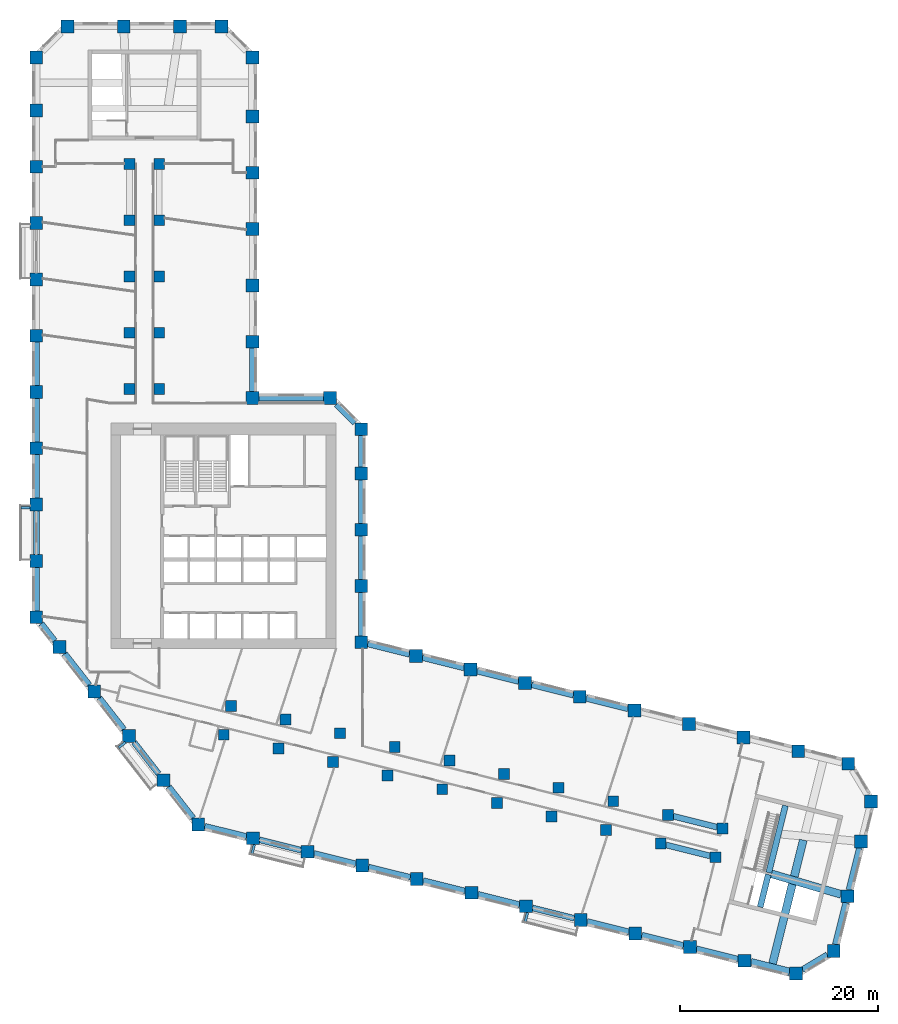
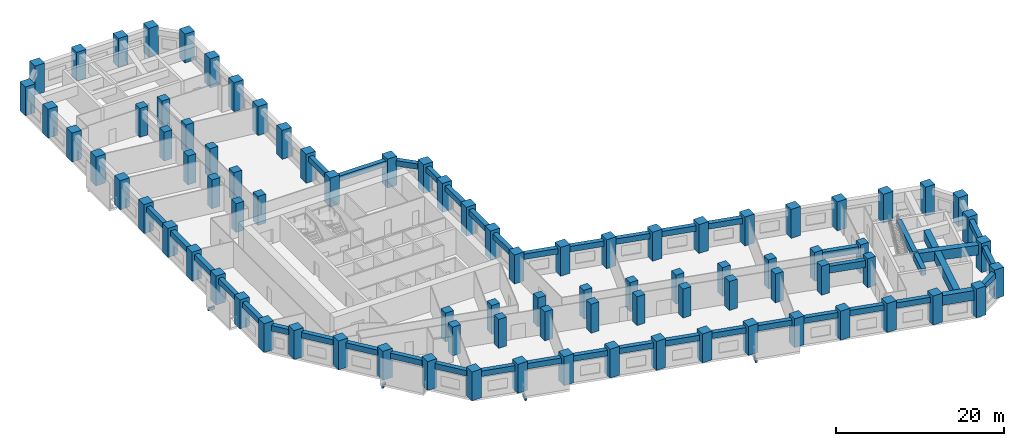
# One storey, part 1 of 11: 87 columns, 47 beams.
"""IFC4 building model written with IfcOpenShell, lengths in metres."""

from ifc_helpers import new_model, si_unit, direction, frame, origin, origin_2d, place, context, subcontext, project, spatial, rectangle, extrude, material, material_profile, profile_set, type_object, element, save


model = new_model("IFC4")

# Units and contexts
model_context = context("Model", 3, precision=1e-05, world=origin(), true_north=direction((0.0, 1.0)))
body_context = subcontext(model_context, "Body", "Model", "MODEL_VIEW")
ifc_project = project(units=[si_unit("LENGTHUNIT", "METRE"), si_unit("AREAUNIT", "SQUARE_METRE"), si_unit("VOLUMEUNIT", "CUBIC_METRE"), si_unit("PLANEANGLEUNIT", "RADIAN"), si_unit("MASSUNIT", "GRAM", prefix="KILO")], contexts=[model_context])

# Site, building, storey
site_placement = place(None, origin())
site = spatial("IfcSite", under=ifc_project, at=site_placement, CompositionType="ELEMENT")
building_placement = place(site_placement, origin())
building = spatial("IfcBuilding", under=site, at=building_placement, Name="Meshkara Civic Tower", CompositionType="ELEMENT")
storey_placement = place(building_placement, frame((0.0, 0.0, 151.800048828125)))
storey = spatial("IfcBuildingStorey", under=building, at=storey_placement, Name="L34", CompositionType="ELEMENT", Elevation=151.800048828125)

# Columns
ifc_material_1 = material(Name="Concrete C70", Category="concrete")
ifc_material_profile_1 = material_profile(ifc_material_1, rectangle(XDim=1.10009765625, YDim=1.10009765625, at=origin_2d()))
ifc_profile_set_1 = profile_set([ifc_material_profile_1], Name="Concrete C70")
column_type_1 = type_object("IfcColumnType", Name="Interior column RC 1100x1100 C70", PredefinedType="COLUMN", material=ifc_profile_set_1)
for number, where, z_axis, x_axis, name in (
    (1, (9.89990234375, 40.35009765625, 0.0), (0.0, 0.0, 1.0), (1.0, 0.0, 0.0), "Column SA1-04 L34"),
    (2, (9.89990234375, 46.050048828125, 0.0), (0.0, 0.0, 1.0), (1.0, 0.0, 0.0), "Column SA1-05 L34"),
    (3, (9.89990234375, 51.75, 0.0), (0.0, 0.0, 1.0), (1.0, 0.0, 0.0), "Column SA1-06 L34"),
    (4, (9.89990234375, 57.449951171875, 0.0), (0.0, 0.0, 1.0), (1.0, 0.0, 0.0), "Column SA1-07 L34"),
    (5, (9.89990234375, 63.14990234375, 0.0), (0.0, 0.0, 1.0), (1.0, 0.0, 0.0), "Column SA1-08 L34"),
    (6, (12.89990234375, 40.35009765625, 0.0), (0.0, 0.0, 1.0), (1.0, 0.0, 0.0), "Column SA2-04 L34"),
    (7, (12.89990234375, 46.050048828125, 0.0), (0.0, 0.0, 1.0), (1.0, 0.0, 0.0), "Column SA2-05 L34"),
    (8, (12.89990234375, 51.75, 0.0), (0.0, 0.0, 1.0), (1.0, 0.0, 0.0), "Column SA2-06 L34"),
    (9, (12.89990234375, 57.449951171875, 0.0), (0.0, 0.0, 1.0), (1.0, 0.0, 0.0), "Column SA2-07 L34"),
    (10, (12.89990234375, 63.14990234375, 0.0), (0.0, 0.0, 1.0), (1.0, 0.0, 0.0), "Column SA2-08 L34"),
    (11, (19.424072265625, 5.360107421875, 0.0), (0.0, 0.0, 1.0), (1.0, 0.0, 0.0), "Column SB1-00 L34"),
    (12, (24.9541015625, 3.98095703125, 0.0), (0.0, 0.0, 1.0), (1.0, 0.0, 0.0), "Column SB1-01 L34"),
    (13, (30.485107421875, 2.60205078125, 0.0), (0.0, 0.0, 1.0), (1.0, 0.0, 0.0), "Column SB1-02 L34"),
    (14, (36.01611328125, 1.222900390625, 0.0), (0.0, 0.0, 1.0), (1.0, 0.0, 0.0), "Column SB1-03 L34"),
    (15, (41.5458984375, -0.156005859375, 0.0), (0.0, 0.0, 1.0), (1.0, 0.0, 0.0), "Column SB1-04 L34"),
    (16, (47.076904296875, -1.534912109375, 0.0), (0.0, 0.0, 1.0), (1.0, 0.0, 0.0), "Column SB1-05 L34"),
    (17, (52.60791015625, -2.9140625, 0.0), (0.0, 0.0, 1.0), (1.0, 0.0, 0.0), "Column SB1-06 L34"),
    (18, (58.138916015625, -4.2919921875, 0.0), (0.0, 0.0, 1.0), (1.0, 0.0, 0.0), "Column SB1-07 L34"),
    (19, (63.6689453125, -5.6708984375, 0.0), (0.0, 0.0, 1.0), (1.0, 0.0, 0.0), "Column SB1-08 L34"),
    (20, (69.199951171875, -7.050048828125, 0.0), (0.0, 0.0, 1.0), (1.0, 0.0, 0.0), "Column SB1-09 L34"),
    (21, (20.14892578125, 8.27099609375, 0.0), (0.0, 0.0, 1.0), (1.0, 0.0, 0.0), "Column SB2-00 L34"),
    (22, (25.679931640625, 6.89208984375, 0.0), (0.0, 0.0, 1.0), (1.0, 0.0, 0.0), "Column SB2-01 L34"),
    (23, (31.2109375, 5.512939453125, 0.0), (0.0, 0.0, 1.0), (1.0, 0.0, 0.0), "Column SB2-02 L34"),
    (24, (36.741943359375, 4.134033203125, 0.0), (0.0, 0.0, 1.0), (1.0, 0.0, 0.0), "Column SB2-03 L34"),
    (25, (42.27197265625, 2.7548828125, 0.0), (0.0, 0.0, 1.0), (1.0, 0.0, 0.0), "Column SB2-04 L34"),
    (26, (47.802978515625, 1.3759765625, 0.0), (0.0, 0.0, 1.0), (1.0, 0.0, 0.0), "Column SB2-05 L34"),
    (27, (53.333984375, -0.0029296875, 0.0), (0.0, 0.0, 1.0), (1.0, 0.0, 0.0), "Column SB2-06 L34"),
    (28, (58.864013671875, -1.382080078125, 0.0), (0.0, 0.0, 1.0), (1.0, 0.0, 0.0), "Column SB2-07 L34"),
    (29, (64.39501953125, -2.760986328125, 0.0), (0.0, 0.0, 1.0), (1.0, 0.0, 0.0), "Column SB2-08 L34"),
    (30, (69.926025390625, -4.139892578125, 0.0), (0.0, 0.0, 1.0), (1.0, 0.0, 0.0), "Column SB2-09 L34"),
):
    element("IfcColumn", number, at=place(storey_placement, frame(where, z_axis=z_axis, x_axis=x_axis)), inside=storey, type_object=column_type_1, Name=name, PredefinedType="COLUMN", context=body_context, shape_type="SweptSolid", body=[
        extrude(rectangle(XDim=1.10009765625, YDim=1.10009765625, at=origin_2d()), origin(), (0.0, 0.0, 1.0), 4.199951171875),
    ])
ifc_material_2 = material(Name="Concrete C70", Category="concrete")
ifc_material_profile_2 = material_profile(ifc_material_2, rectangle(XDim=1.300048828125, YDim=1.300048828125, at=origin_2d()))
ifc_profile_set_2 = profile_set([ifc_material_profile_2], Name="Concrete C70")
column_type_2 = type_object("IfcColumnType", Name="Perimeter column RC 1300x1300 C70", PredefinedType="COLUMN", material=ifc_profile_set_2)
for number, where, z_axis, x_axis, name in (
    (31, (33.35009765625, 14.718994140625, 0.0), (0.0, 0.0, 1.0), (1.0, 0.0, 0.0), "Column HE00 L34"),
    (32, (33.35009765625, 20.4189453125, 0.0), (0.0, 0.0, 1.0), (1.0, 0.0, 0.0), "Column HE01 L34"),
    (33, (33.35009765625, 26.118896484375, 0.0), (0.0, 0.0, 1.0), (1.0, 0.0, 0.0), "Column HE02 L34"),
    (34, (33.35009765625, 31.819091796875, 0.0), (0.0, 0.0, 1.0), (1.0, 0.0, 0.0), "Column HE03 L34"),
    (35, (33.35009765625, 36.2939453125, 0.0), (0.0, 0.0, 1.0), (1.0, 0.0, 0.0), "Column HEE L34"),
    (36, (30.194091796875, 39.449951171875, 0.0), (0.0, 0.0, 1.0), (1.0, 0.0, 0.0), "Column HCeE L34"),
    (37, (22.35009765625, 39.449951171875, 0.0), (0.0, 0.0, 1.0), (1.0, 0.0, 0.0), "Column HN00 L34"),
    (38, (22.35009765625, 45.14990234375, 0.0), (0.0, 0.0, 1.0), (1.0, 0.0, 0.0), "Column AE01 L34"),
    (39, (22.35009765625, 50.85009765625, 0.0), (0.0, 0.0, 1.0), (1.0, 0.0, 0.0), "Column AE02 L34"),
    (40, (22.35009765625, 56.550048828125, 0.0), (0.0, 0.0, 1.0), (1.0, 0.0, 0.0), "Column AE03 L34"),
    (41, (22.35009765625, 62.25, 0.0), (0.0, 0.0, 1.0), (1.0, 0.0, 0.0), "Column AE04 L34"),
    (42, (22.35009765625, 67.949951171875, 0.0), (0.0, 0.0, 1.0), (1.0, 0.0, 0.0), "Column AE05 L34"),
    (43, (22.35009765625, 73.9140625, 0.0), (0.0, 0.0, 1.0), (1.0, 0.0, 0.0), "Column AEEP1 L34"),
    (44, (19.194091796875, 77.070068359375, 0.0), (0.0, 0.0, 1.0), (1.0, 0.0, 0.0), "Column ATiEP1 L34"),
    (45, (3.60595703125, 77.070068359375, 0.0), (0.0, 0.0, 1.0), (1.0, 0.0, 0.0), "Column AT00-P1 L34"),
    (46, (9.305908203125, 77.070068359375, 0.0), (0.0, 0.0, 1.0), (1.0, 0.0, 0.0), "Column AT01-P1 L34"),
    (47, (15.006103515625, 77.070068359375, 0.0), (0.0, 0.0, 1.0), (1.0, 0.0, 0.0), "Column AT02-P1 L34"),
    (48, (0.449951171875, 73.9140625, 0.0), (0.0, 0.0, 1.0), (1.0, 0.0, 0.0), "Column ATo00-P1 L34"),
    (49, (0.449951171875, 17.2548828125, 0.0), (0.0, 0.0, 1.0), (1.0, 0.0, 0.0), "Column AW00 L34"),
    (50, (0.449951171875, 22.955078125, 0.0), (0.0, 0.0, 1.0), (1.0, 0.0, 0.0), "Column AW01 L34"),
    (51, (0.449951171875, 28.655029296875, 0.0), (0.0, 0.0, 1.0), (1.0, 0.0, 0.0), "Column AW02 L34"),
    (52, (0.449951171875, 34.35498046875, 0.0), (0.0, 0.0, 1.0), (1.0, 0.0, 0.0), "Column AW03 L34"),
    (53, (0.449951171875, 40.054931640625, 0.0), (0.0, 0.0, 1.0), (1.0, 0.0, 0.0), "Column AW04 L34"),
    (54, (0.449951171875, 45.7548828125, 0.0), (0.0, 0.0, 1.0), (1.0, 0.0, 0.0), "Column AW05 L34"),
    (55, (0.449951171875, 51.455078125, 0.0), (0.0, 0.0, 1.0), (1.0, 0.0, 0.0), "Column AW06 L34"),
    (56, (0.449951171875, 57.155029296875, 0.0), (0.0, 0.0, 1.0), (1.0, 0.0, 0.0), "Column AW07 L34"),
    (57, (0.449951171875, 62.85498046875, 0.0), (0.0, 0.0, 1.0), (1.0, 0.0, 0.0), "Column AW08 L34"),
    (58, (0.449951171875, 68.554931640625, 0.0), (0.0, 0.0, 1.0), (1.0, 0.0, 0.0), "Column AW09 L34"),
    (59, (16.85107421875, -3.738037109375, 0.0), (0.0, 0.0, 1.0), (1.0, 0.0, 0.0), "Column BOW00 L34"),
    (60, (13.342041015625, 0.75390625, 0.0), (0.0, 0.0, 1.0), (1.0, 0.0, 0.0), "Column BOW01 L34"),
    (61, (9.8330078125, 5.2451171875, 0.0), (0.0, 0.0, 1.0), (1.0, 0.0, 0.0), "Column BOW02 L34"),
    (62, (6.322998046875, 9.737060546875, 0.0), (0.0, 0.0, 1.0), (1.0, 0.0, 0.0), "Column BOW03 L34"),
    (63, (2.81396484375, 14.22900390625, 0.0), (0.0, 0.0, 1.0), (1.0, 0.0, 0.0), "Column BOW04 L34"),
    (64, (22.382080078125, -5.116943359375, 0.0), (0.0, 0.0, 1.0), (1.0, 0.0, 0.0), "Column BS01 L34"),
    (65, (27.912109375, -6.49609375, 0.0), (0.0, 0.0, 1.0), (1.0, 0.0, 0.0), "Column BS02 L34"),
    (66, (33.443115234375, -7.875, 0.0), (0.0, 0.0, 1.0), (1.0, 0.0, 0.0), "Column BS03 L34"),
    (67, (38.97412109375, -9.2529296875, 0.0), (0.0, 0.0, 1.0), (1.0, 0.0, 0.0), "Column BS04-P1 L34"),
    (68, (44.5048828125, -10.632080078125, 0.0), (0.0, 0.0, 1.0), (1.0, 0.0, 0.0), "Column BS05 L34"),
    (69, (50.034912109375, -12.010986328125, 0.0), (0.0, 0.0, 1.0), (1.0, 0.0, 0.0), "Column BS06 L34"),
    (70, (55.56591796875, -13.389892578125, 0.0), (0.0, 0.0, 1.0), (1.0, 0.0, 0.0), "Column BS07 L34"),
    (71, (61.096923828125, -14.76904296875, 0.0), (0.0, 0.0, 1.0), (1.0, 0.0, 0.0), "Column BS08 L34"),
    (72, (66.626953125, -16.14794921875, 0.0), (0.0, 0.0, 1.0), (1.0, 0.0, 0.0), "Column BS09 L34"),
    (73, (72.157958984375, -17.527099609375, 0.0), (0.0, 0.0, 1.0), (1.0, 0.0, 0.0), "Column BS10 L34"),
    (74, (77.35791015625, -18.822998046875, 0.0), (0.0, 0.0, 1.0), (1.0, 0.0, 0.0), "Column BSEP1 L34"),
    (75, (81.18310546875, -16.52392578125, 0.0), (0.0, 0.0, 1.0), (1.0, 0.0, 0.0), "Column BToEP1 L34"),
    (76, (82.56201171875, -10.992919921875, 0.0), (0.0, 0.0, 1.0), (1.0, 0.0, 0.0), "Column BT01-P1 L34"),
    (77, (83.94091796875, -5.462890625, 0.0), (0.0, 0.0, 1.0), (1.0, 0.0, 0.0), "Column BT02-P1 L34"),
    (78, (84.9541015625, -1.39990234375, 0.0), (0.0, 0.0, 1.0), (1.0, 0.0, 0.0), "Column BTEP1 L34"),
    (79, (82.655029296875, 2.425048828125, 0.0), (0.0, 0.0, 1.0), (1.0, 0.0, 0.0), "Column BTi00-P1 L34"),
    (80, (38.881103515625, 13.340087890625, 0.0), (0.0, 0.0, 1.0), (1.0, 0.0, 0.0), "Column BN01 L34"),
    (81, (44.410888671875, 11.9609375, 0.0), (0.0, 0.0, 1.0), (1.0, 0.0, 0.0), "Column BN02 L34"),
    (82, (49.94189453125, 10.58203125, 0.0), (0.0, 0.0, 1.0), (1.0, 0.0, 0.0), "Column BN03 L34"),
    (83, (55.472900390625, 9.202880859375, 0.0), (0.0, 0.0, 1.0), (1.0, 0.0, 0.0), "Column BN04 L34"),
    (84, (61.0029296875, 7.823974609375, 0.0), (0.0, 0.0, 1.0), (1.0, 0.0, 0.0), "Column BN05 L34"),
    (85, (66.533935546875, 6.445068359375, 0.0), (0.0, 0.0, 1.0), (1.0, 0.0, 0.0), "Column BN06 L34"),
    (86, (72.06494140625, 5.06591796875, 0.0), (0.0, 0.0, 1.0), (1.0, 0.0, 0.0), "Column BN07 L34"),
    (87, (77.594970703125, 3.68701171875, 0.0), (0.0, 0.0, 1.0), (1.0, 0.0, 0.0), "Column BN08 L34"),
):
    element("IfcColumn", number, at=place(storey_placement, frame(where, z_axis=z_axis, x_axis=x_axis)), inside=storey, type_object=column_type_2, Name=name, PredefinedType="COLUMN", context=body_context, shape_type="SweptSolid", body=[
        extrude(rectangle(XDim=1.300048828125, YDim=1.300048828125, at=origin_2d()), origin(), (0.0, 0.0, 1.0), 4.199951171875),
    ])

# Beams
ifc_material_3 = material(Name="Concrete C50", Category="concrete")
ifc_material_profile_3 = material_profile(ifc_material_3, rectangle(XDim=0.25, YDim=0.39990234375, at=origin_2d()))
ifc_profile_set_3 = profile_set([ifc_material_profile_3], Name="Concrete C50")
beam_type_1 = type_object("IfcBeamType", Name="Balcony bracket beam RC 250x400 C50", PredefinedType="BEAM", material=ifc_profile_set_3)
beam_1_placement = place(storey_placement, frame((-0.195068359375, 28.35498046875, -0.5), z_axis=(-1.0, 0.0, 0.0), x_axis=(0.0, -1.0, 0.0)))
element("IfcBeam", 88, at=beam_1_placement, inside=storey, type_object=beam_type_1, Name="Balcony bracket beam", PredefinedType="BEAM", context=body_context, shape_type="SweptSolid", body=[
    extrude(rectangle(XDim=0.25, YDim=0.39990234375, at=origin_2d()), origin(), (0.0, 0.0, 1.0), 0.905029296875),
])
beam_2_placement = place(storey_placement, frame((9.491943359375, 4.597900390625, -0.5), z_axis=(-0.787936375825, -0.615756662693, 0.0), x_axis=(0.615756662693, -0.787936375825, 0.0)))
element("IfcBeam", 89, at=beam_2_placement, inside=storey, type_object=beam_type_1, Name="Balcony bracket beam", PredefinedType="BEAM", context=body_context, shape_type="SweptSolid", body=[
    extrude(rectangle(XDim=0.25, YDim=0.39990234375, at=origin_2d()), origin(), (0.0, 0.0, 1.0), 0.88330078125),
])
beam_3_placement = place(storey_placement, frame((22.530029296875, -5.761962890625, -0.5), z_axis=(-0.241697450497, -0.970351659154, 0.0), x_axis=(0.970351659154, -0.241697450497, 0.0)))
element("IfcBeam", 90, at=beam_3_placement, inside=storey, type_object=beam_type_1, Name="Balcony bracket beam", PredefinedType="BEAM", context=body_context, shape_type="SweptSolid", body=[
    extrude(rectangle(XDim=0.25, YDim=0.39990234375, at=origin_2d()), origin(), (0.0, 0.0, 1.0), 0.959716796875),
])
beam_4_placement = place(storey_placement, frame((50.18310546875, -12.656005859375, -0.5), z_axis=(-0.241757949961, -0.970336587804, 0.0), x_axis=(0.970336587804, -0.241757949961, 0.0)))
element("IfcBeam", 91, at=beam_4_placement, inside=storey, type_object=beam_type_1, Name="Balcony bracket beam", PredefinedType="BEAM", context=body_context, shape_type="SweptSolid", body=[
    extrude(rectangle(XDim=0.25, YDim=0.39990234375, at=origin_2d()), origin(), (0.0, 0.0, 1.0), 0.96044921875),
])
ifc_material_4 = material(Name="Concrete C70", Category="concrete")
ifc_material_profile_4 = material_profile(ifc_material_4, rectangle(XDim=0.60009765625, YDim=1.0, at=origin_2d()))
ifc_profile_set_4 = profile_set([ifc_material_profile_4], Name="Concrete C70")
beam_type_2 = type_object("IfcBeamType", Name="Core transfer beam RC 600x1000 C70", PredefinedType="BEAM", material=ifc_profile_set_4)
for number, where, z_axis, x_axis, name in (
    (92, (64.202880859375, -5.803955078125, 3.25), (0.970282832737, -0.241973602891, 0.0), (0.241973602891, 0.970282832737, 0.0), "Transfer beam B L35 core-side wall"),
    (93, (64.928955078125, -2.89404296875, 3.25), (0.970282832737, -0.241973602891, 0.0), (0.241973602891, 0.970282832737, 0.0), "Transfer beam B L35 core-side wall"),
):
    element("IfcBeam", number, at=place(storey_placement, frame(where, z_axis=z_axis, x_axis=x_axis)), inside=storey, type_object=beam_type_2, Name=name, PredefinedType="BEAM", context=body_context, shape_type="SweptSolid", body=[
        extrude(rectangle(XDim=0.60009765625, YDim=1.0, at=origin_2d()), origin(), (0.0, 0.0, 1.0), 4.599853515625),
    ])
beam_5_placement = place(storey_placement, frame((73.73388671875, -12.096923828125, 3.25), z_axis=(0.241792085081, 0.970328082451, 0.0), x_axis=(-0.970328082451, 0.241792085081, 0.0)))
element("IfcBeam", 94, at=beam_5_placement, inside=storey, type_object=beam_type_2, Name="Transfer beam B L35 tip-side wall", PredefinedType="BEAM", context=body_context, shape_type="SweptSolid", body=[
    extrude(rectangle(XDim=0.60009765625, YDim=1.0, at=origin_2d()), origin(), (0.0, 0.0, 1.0), 3.399658203125),
])
beam_6_placement = place(storey_placement, frame((74.60498046875, -8.60400390625, 3.25), z_axis=(0.241879042136, 0.970306409839, 0.0), x_axis=(-0.970306409839, 0.241879042136, 0.0)))
element("IfcBeam", 95, at=beam_6_placement, inside=storey, type_object=beam_type_2, Name="Transfer beam B L35 tip-side wall", PredefinedType="BEAM", context=body_context, shape_type="SweptSolid", body=[
    extrude(rectangle(XDim=0.60009765625, YDim=1.0, at=origin_2d()), origin(), (0.0, 0.0, 1.0), 6.999755859375),
])
ifc_material_5 = material(Name="Concrete C70", Category="concrete")
ifc_material_profile_5 = material_profile(ifc_material_5, rectangle(XDim=0.60009765625, YDim=0.800048828125, at=origin_2d()))
ifc_profile_set_5 = profile_set([ifc_material_profile_5], Name="Concrete C70")
beam_type_3 = type_object("IfcBeamType", Name="Spandrel beam RC 600x800 C70", PredefinedType="BEAM", material=ifc_profile_set_5)
beam_7_placement = place(storey_placement, frame((60.35791015625, 7.98486328125, 3.349853515625), z_axis=(-0.970293497888, 0.241930832999, 0.0), x_axis=(-0.241930832999, -0.970293497888, 0.0)))
element("IfcBeam", 96, at=beam_7_placement, inside=storey, type_object=beam_type_3, Name="Spandrel beam BN04-BN05", PredefinedType="BEAM", context=body_context, shape_type="SweptSolid", body=[
    extrude(rectangle(XDim=0.60009765625, YDim=0.800048828125, at=origin_2d()), origin(), (0.0, 0.0, 1.0), 4.36962890625),
])
for number, where, z_axis, x_axis, name in (
    (97, (54.827880859375, 9.36376953125, 3.349853515625), (-0.970293463154, 0.241930972304, 0.0), (-0.241930972304, -0.970293463154, 0.0), "Spandrel beam BN03-BN04"),
    (98, (49.296875, 10.742919921875, 3.349853515625), (-0.970293463154, 0.241930972304, 0.0), (-0.241930972304, -0.970293463154, 0.0), "Spandrel beam BN02-BN03"),
):
    element("IfcBeam", number, at=place(storey_placement, frame(where, z_axis=z_axis, x_axis=x_axis)), inside=storey, type_object=beam_type_3, Name=name, PredefinedType="BEAM", context=body_context, shape_type="SweptSolid", body=[
        extrude(rectangle(XDim=0.60009765625, YDim=0.800048828125, at=origin_2d()), origin(), (0.0, 0.0, 1.0), 4.37060546875),
    ])
beam_8_placement = place(storey_placement, frame((43.765869140625, 12.121826171875, 3.349853515625), z_axis=(-0.970280380753, 0.241983434817, 0.0), x_axis=(-0.241983434817, -0.970280380753, 0.0)))
element("IfcBeam", 99, at=beam_8_placement, inside=storey, type_object=beam_type_3, Name="Spandrel beam BN01-BN02", PredefinedType="BEAM", context=body_context, shape_type="SweptSolid", body=[
    extrude(rectangle(XDim=0.60009765625, YDim=0.800048828125, at=origin_2d()), origin(), (0.0, 0.0, 1.0), 4.36962890625),
])
beam_9_placement = place(storey_placement, frame((38.23583984375, 13.500732421875, 3.349853515625), z_axis=(-0.970293463154, 0.241930972304, 0.0), x_axis=(-0.241930972304, -0.970293463154, 0.0)))
element("IfcBeam", 100, at=beam_9_placement, inside=storey, type_object=beam_type_3, Name="Spandrel beam BN01-HE00", PredefinedType="BEAM", context=body_context, shape_type="SweptSolid", body=[
    extrude(rectangle(XDim=0.60009765625, YDim=0.800048828125, at=origin_2d()), origin(), (0.0, 0.0, 1.0), 4.37060546875),
])
beam_10_placement = place(storey_placement, frame((33.35009765625, 15.364013671875, 3.349853515625), z_axis=(0.0, 1.0, 0.0), x_axis=(-1.0, 0.0, 0.0)))
element("IfcBeam", 101, at=beam_10_placement, inside=storey, type_object=beam_type_3, Name="Spandrel beam HE00-HE01", PredefinedType="BEAM", context=body_context, shape_type="SweptSolid", body=[
    extrude(rectangle(XDim=0.60009765625, YDim=0.800048828125, at=origin_2d()), origin(), (0.0, 0.0, 1.0), 4.409912109375),
])
for number, where, z_axis, x_axis, name in (
    (102, (33.35009765625, 21.06396484375, 3.349853515625), (0.0, 1.0, 0.0), (-1.0, 0.0, 0.0), "Spandrel beam HE01-HE02"),
    (103, (33.35009765625, 26.763916015625, 3.349853515625), (0.0, 1.0, 0.0), (-1.0, 0.0, 0.0), "Spandrel beam HE02-HE03"),
):
    element("IfcBeam", number, at=place(storey_placement, frame(where, z_axis=z_axis, x_axis=x_axis)), inside=storey, type_object=beam_type_3, Name=name, PredefinedType="BEAM", context=body_context, shape_type="SweptSolid", body=[
        extrude(rectangle(XDim=0.60009765625, YDim=0.800048828125, at=origin_2d()), origin(), (0.0, 0.0, 1.0), 4.41015625),
    ])
beam_11_placement = place(storey_placement, frame((33.35009765625, 32.464111328125, 3.349853515625), z_axis=(0.0, 1.0, 0.0), x_axis=(-1.0, 0.0, 0.0)))
element("IfcBeam", 104, at=beam_11_placement, inside=storey, type_object=beam_type_3, Name="Spandrel beam HE03-HEE", PredefinedType="BEAM", context=body_context, shape_type="SweptSolid", body=[
    extrude(rectangle(XDim=0.60009765625, YDim=0.800048828125, at=origin_2d()), origin(), (0.0, 0.0, 1.0), 3.184814453125),
])
beam_12_placement = place(storey_placement, frame((32.70361328125, 36.9404296875, 3.349853515625), z_axis=(-0.707106781187, 0.707106781187, 0.0), x_axis=(-0.707106781187, -0.707106781187, 0.0)))
element("IfcBeam", 105, at=beam_12_placement, inside=storey, type_object=beam_type_3, Name="Spandrel beam HCeE-HEE", PredefinedType="BEAM", context=body_context, shape_type="SweptSolid", body=[
    extrude(rectangle(XDim=0.60009765625, YDim=0.800048828125, at=origin_2d()), origin(), (0.0, 0.0, 1.0), 2.634765625),
])
beam_13_placement = place(storey_placement, frame((29.549072265625, 39.449951171875, 3.349853515625), z_axis=(-1.0, 0.0, 0.0), x_axis=(0.0, -1.0, 0.0)))
element("IfcBeam", 106, at=beam_13_placement, inside=storey, type_object=beam_type_3, Name="Spandrel beam HCeE-HN00", PredefinedType="BEAM", context=body_context, shape_type="SweptSolid", body=[
    extrude(rectangle(XDim=0.60009765625, YDim=0.800048828125, at=origin_2d()), origin(), (0.0, 0.0, 1.0), 6.553955078125),
])
beam_14_placement = place(storey_placement, frame((22.35009765625, 40.094970703125, 3.349853515625), z_axis=(0.0, 1.0, 0.0), x_axis=(-1.0, 0.0, 0.0)))
element("IfcBeam", 107, at=beam_14_placement, inside=storey, type_object=beam_type_3, Name="Spandrel beam AE01-HN00", PredefinedType="BEAM", context=body_context, shape_type="SweptSolid", body=[
    extrude(rectangle(XDim=0.60009765625, YDim=0.800048828125, at=origin_2d()), origin(), (0.0, 0.0, 1.0), 4.409912109375),
])
beam_15_placement = place(storey_placement, frame((0.449951171875, 45.110107421875, 3.349853515625), z_axis=(0.0, -1.0, 0.0), x_axis=(1.0, 0.0, 0.0)))
element("IfcBeam", 108, at=beam_15_placement, inside=storey, type_object=beam_type_3, Name="Spandrel beam AW04-AW05", PredefinedType="BEAM", context=body_context, shape_type="SweptSolid", body=[
    extrude(rectangle(XDim=0.60009765625, YDim=0.800048828125, at=origin_2d()), origin(), (0.0, 0.0, 1.0), 4.41015625),
])
for number, where, z_axis, x_axis, name in (
    (109, (0.449951171875, 39.409912109375, 3.349853515625), (0.0, -1.0, 0.0), (1.0, 0.0, 0.0), "Spandrel beam AW03-AW04"),
    (110, (0.449951171875, 33.7099609375, 3.349853515625), (0.0, -1.0, 0.0), (1.0, 0.0, 0.0), "Spandrel beam AW02-AW03"),
    (111, (0.449951171875, 28.010009765625, 3.349853515625), (0.0, -1.0, 0.0), (1.0, 0.0, 0.0), "Spandrel beam AW01-AW02"),
):
    element("IfcBeam", number, at=place(storey_placement, frame(where, z_axis=z_axis, x_axis=x_axis)), inside=storey, type_object=beam_type_3, Name=name, PredefinedType="BEAM", context=body_context, shape_type="SweptSolid", body=[
        extrude(rectangle(XDim=0.60009765625, YDim=0.800048828125, at=origin_2d()), origin(), (0.0, 0.0, 1.0), 4.409912109375),
    ])
beam_16_placement = place(storey_placement, frame((0.449951171875, 22.31005859375, 3.349853515625), z_axis=(0.0, -1.0, 0.0), x_axis=(1.0, 0.0, 0.0)))
element("IfcBeam", 112, at=beam_16_placement, inside=storey, type_object=beam_type_3, Name="Spandrel beam AW00-AW01", PredefinedType="BEAM", context=body_context, shape_type="SweptSolid", body=[
    extrude(rectangle(XDim=0.60009765625, YDim=0.800048828125, at=origin_2d()), origin(), (0.0, 0.0, 1.0), 4.41015625),
])
beam_17_placement = place(storey_placement, frame((0.95458984375, 16.60888671875, 3.349853515625), z_axis=(0.61568279769, -0.787994094286, 0.0), x_axis=(0.787994094286, 0.61568279769, 0.0)))
element("IfcBeam", 113, at=beam_17_placement, inside=storey, type_object=beam_type_3, Name="Spandrel beam AW00-BOW04", PredefinedType="BEAM", context=body_context, shape_type="SweptSolid", body=[
    extrude(rectangle(XDim=0.60009765625, YDim=0.800048828125, at=origin_2d()), origin(), (0.0, 0.0, 1.0), 2.200439453125),
])
beam_18_placement = place(storey_placement, frame((3.318603515625, 13.5830078125, 3.349853515625), z_axis=(0.615612539127, -0.788048984309, 0.0), x_axis=(0.788048984309, 0.615612539127, 0.0)))
element("IfcBeam", 114, at=beam_18_placement, inside=storey, type_object=beam_type_3, Name="Spandrel beam BOW03-BOW04", PredefinedType="BEAM", context=body_context, shape_type="SweptSolid", body=[
    extrude(rectangle(XDim=0.60009765625, YDim=0.800048828125, at=origin_2d()), origin(), (0.0, 0.0, 1.0), 4.060546875),
])
beam_19_placement = place(storey_placement, frame((6.827880859375, 9.0908203125, 3.349853515625), z_axis=(0.615716376188, -0.787967857272, 0.0), x_axis=(0.787967857272, 0.615716376188, 0.0)))
element("IfcBeam", 115, at=beam_19_placement, inside=storey, type_object=beam_type_3, Name="Spandrel beam BOW02-BOW03", PredefinedType="BEAM", context=body_context, shape_type="SweptSolid", body=[
    extrude(rectangle(XDim=0.60009765625, YDim=0.800048828125, at=origin_2d()), origin(), (0.0, 0.0, 1.0), 4.060791015625),
])
beam_20_placement = place(storey_placement, frame((10.337890625, 4.598876953125, 3.349853515625), z_axis=(0.61568372316, -0.787993371188, 0.0), x_axis=(0.787993371188, 0.61568372316, 0.0)))
element("IfcBeam", 116, at=beam_20_placement, inside=storey, type_object=beam_type_3, Name="Spandrel beam BOW01-BOW02", PredefinedType="BEAM", context=body_context, shape_type="SweptSolid", body=[
    extrude(rectangle(XDim=0.60009765625, YDim=0.800048828125, at=origin_2d()), origin(), (0.0, 0.0, 1.0), 4.059326171875),
])
beam_21_placement = place(storey_placement, frame((13.8466796875, 0.10791015625, 3.349853515625), z_axis=(0.615604368214, -0.78805536724, 0.0), x_axis=(0.78805536724, 0.615604368214, 0.0)))
element("IfcBeam", 117, at=beam_21_placement, inside=storey, type_object=beam_type_3, Name="Spandrel beam BOW00-BOW01", PredefinedType="BEAM", context=body_context, shape_type="SweptSolid", body=[
    extrude(rectangle(XDim=0.60009765625, YDim=0.800048828125, at=origin_2d()), origin(), (0.0, 0.0, 1.0), 4.060302734375),
])
beam_22_placement = place(storey_placement, frame((17.49609375, -3.898681640625, 3.349853515625), z_axis=(0.970280349033, -0.241983562004, 0.0), x_axis=(0.241983562004, 0.970280349033, 0.0)))
element("IfcBeam", 118, at=beam_22_placement, inside=storey, type_object=beam_type_3, Name="Spandrel beam BOW00-BS01", PredefinedType="BEAM", context=body_context, shape_type="SweptSolid", body=[
    extrude(rectangle(XDim=0.60009765625, YDim=0.800048828125, at=origin_2d()), origin(), (0.0, 0.0, 1.0), 4.37060546875),
])
beam_23_placement = place(storey_placement, frame((23.027099609375, -5.27783203125, 3.349853515625), z_axis=(0.970280380753, -0.241983434817, 0.0), x_axis=(0.241983434817, 0.970280380753, 0.0)))
element("IfcBeam", 119, at=beam_23_placement, inside=storey, type_object=beam_type_3, Name="Spandrel beam BS01-BS02", PredefinedType="BEAM", context=body_context, shape_type="SweptSolid", body=[
    extrude(rectangle(XDim=0.60009765625, YDim=0.800048828125, at=origin_2d()), origin(), (0.0, 0.0, 1.0), 4.36962890625),
])
beam_24_placement = place(storey_placement, frame((28.55712890625, -6.65673828125, 3.349853515625), z_axis=(0.970293463154, -0.241930972304, 0.0), x_axis=(0.241930972304, 0.970293463154, 0.0)))
element("IfcBeam", 120, at=beam_24_placement, inside=storey, type_object=beam_type_3, Name="Spandrel beam BS02-BS03", PredefinedType="BEAM", context=body_context, shape_type="SweptSolid", body=[
    extrude(rectangle(XDim=0.60009765625, YDim=0.800048828125, at=origin_2d()), origin(), (0.0, 0.0, 1.0), 4.37060546875),
])
beam_25_placement = place(storey_placement, frame((34.088134765625, -8.03564453125, 3.349853515625), z_axis=(0.97033279054, -0.241773190412, 0.0), x_axis=(0.241773190412, 0.97033279054, 0.0)))
element("IfcBeam", 121, at=beam_25_placement, inside=storey, type_object=beam_type_3, Name="Spandrel beam BS03-BS04-P1", PredefinedType="BEAM", context=body_context, shape_type="SweptSolid", body=[
    extrude(rectangle(XDim=0.60009765625, YDim=0.800048828125, at=origin_2d()), origin(), (0.0, 0.0, 1.0), 4.370361328125),
])
beam_26_placement = place(storey_placement, frame((39.619140625, -9.413818359375, 3.349853515625), z_axis=(0.970293463154, -0.241930972304, 0.0), x_axis=(0.241930972304, 0.970293463154, 0.0)))
element("IfcBeam", 122, at=beam_26_placement, inside=storey, type_object=beam_type_3, Name="Spandrel beam BS04-P1-BS05", PredefinedType="BEAM", context=body_context, shape_type="SweptSolid", body=[
    extrude(rectangle(XDim=0.60009765625, YDim=0.800048828125, at=origin_2d()), origin(), (0.0, 0.0, 1.0), 4.37060546875),
])
beam_27_placement = place(storey_placement, frame((45.150146484375, -10.79296875, 3.349853515625), z_axis=(0.970293497888, -0.241930832999, 0.0), x_axis=(0.241930832999, 0.970293497888, 0.0)))
element("IfcBeam", 123, at=beam_27_placement, inside=storey, type_object=beam_type_3, Name="Spandrel beam BS05-BS06", PredefinedType="BEAM", context=body_context, shape_type="SweptSolid", body=[
    extrude(rectangle(XDim=0.60009765625, YDim=0.800048828125, at=origin_2d()), origin(), (0.0, 0.0, 1.0), 4.36962890625),
])
for number, where, z_axis, x_axis, name in (
    (124, (50.68017578125, -12.171875, 3.349853515625), (0.970293463154, -0.241930972304, 0.0), (0.241930972304, 0.970293463154, 0.0), "Spandrel beam BS06-BS07"),
    (125, (56.211181640625, -13.55078125, 3.349853515625), (0.970293463154, -0.241930972304, 0.0), (0.241930972304, 0.970293463154, 0.0), "Spandrel beam BS07-BS08"),
):
    element("IfcBeam", number, at=place(storey_placement, frame(where, z_axis=z_axis, x_axis=x_axis)), inside=storey, type_object=beam_type_3, Name=name, PredefinedType="BEAM", context=body_context, shape_type="SweptSolid", body=[
        extrude(rectangle(XDim=0.60009765625, YDim=0.800048828125, at=origin_2d()), origin(), (0.0, 0.0, 1.0), 4.37060546875),
    ])
beam_28_placement = place(storey_placement, frame((61.7421875, -14.929931640625, 3.349853515625), z_axis=(0.970293497888, -0.241930832999, 0.0), x_axis=(0.241930832999, 0.970293497888, 0.0)))
element("IfcBeam", 126, at=beam_28_placement, inside=storey, type_object=beam_type_3, Name="Spandrel beam BS08-BS09", PredefinedType="BEAM", context=body_context, shape_type="SweptSolid", body=[
    extrude(rectangle(XDim=0.60009765625, YDim=0.800048828125, at=origin_2d()), origin(), (0.0, 0.0, 1.0), 4.36962890625),
])
beam_29_placement = place(storey_placement, frame((67.272216796875, -16.308837890625, 3.349853515625), z_axis=(0.970293463154, -0.241930972304, 0.0), x_axis=(0.241930972304, 0.970293463154, 0.0)))
element("IfcBeam", 127, at=beam_29_placement, inside=storey, type_object=beam_type_3, Name="Spandrel beam BS09-BS10", PredefinedType="BEAM", context=body_context, shape_type="SweptSolid", body=[
    extrude(rectangle(XDim=0.60009765625, YDim=0.800048828125, at=origin_2d()), origin(), (0.0, 0.0, 1.0), 4.37060546875),
])
beam_30_placement = place(storey_placement, frame((78.003662109375, -18.434814453125, 3.349853515625), z_axis=(0.857121046107, 0.515115047655, 0.0), x_axis=(-0.515115047655, 0.857121046107, 0.0)))
element("IfcBeam", 128, at=beam_30_placement, inside=storey, type_object=beam_type_3, Name="Spandrel beam BSEP1-BToEP1", PredefinedType="BEAM", context=body_context, shape_type="SweptSolid", body=[
    extrude(rectangle(XDim=0.60009765625, YDim=0.800048828125, at=origin_2d()), origin(), (0.0, 0.0, 1.0), 2.9560546875),
])
beam_31_placement = place(storey_placement, frame((81.34375, -15.87890625, 3.349853515625), z_axis=(0.241930972304, 0.970293463154, 0.0), x_axis=(-0.970293463154, 0.241930972304, 0.0)))
element("IfcBeam", 129, at=beam_31_placement, inside=storey, type_object=beam_type_3, Name="Spandrel beam BT01-P1-BToEP1", PredefinedType="BEAM", context=body_context, shape_type="SweptSolid", body=[
    extrude(rectangle(XDim=0.60009765625, YDim=0.800048828125, at=origin_2d()), origin(), (0.0, 0.0, 1.0), 4.37060546875),
])
beam_32_placement = place(storey_placement, frame((82.722900390625, -10.347900390625, 3.349853515625), z_axis=(0.241930832999, 0.970293497888, 0.0), x_axis=(-0.970293497888, 0.241930832999, 0.0)))
element("IfcBeam", 130, at=beam_32_placement, inside=storey, type_object=beam_type_3, Name="Spandrel beam BT01-P1-BT02-P1", PredefinedType="BEAM", context=body_context, shape_type="SweptSolid", body=[
    extrude(rectangle(XDim=0.60009765625, YDim=0.800048828125, at=origin_2d()), origin(), (0.0, 0.0, 1.0), 4.36962890625),
])
ifc_material_6 = material(Name="Concrete C70", Category="concrete")
ifc_material_profile_6 = material_profile(ifc_material_6, rectangle(XDim=0.800048828125, YDim=1.39990234375, at=origin_2d()))
ifc_profile_set_6 = profile_set([ifc_material_profile_6], Name="Concrete C70")
beam_type_4 = type_object("IfcBeamType", Name="Transfer girder RC 800x1400 C70", PredefinedType="BEAM", material=ifc_profile_set_6)
beam_33_placement = place(storey_placement, frame((72.802978515625, -17.687744140625, 3.050048828125), z_axis=(0.970323993045, -0.241808495551, 0.0), x_axis=(0.241808495551, 0.970323993045, 0.0)))
element("IfcBeam", 131, at=beam_33_placement, inside=storey, type_object=beam_type_4, Name="Transfer girder BS10-BSEP1", PredefinedType="BEAM", context=body_context, shape_type="SweptSolid", body=[
    extrude(rectangle(XDim=0.800048828125, YDim=1.39990234375, at=origin_2d()), origin(), (0.0, 0.0, 1.0), 4.029541015625),
])
beam_34_placement = place(storey_placement, frame((74.88330078125, -8.72705078125, 3.050048828125), z_axis=(0.959114902745, -0.283016966512, 0.0), x_axis=(0.283016966512, 0.959114902745, 0.0)))
element("IfcBeam", 132, at=beam_34_placement, inside=storey, type_object=beam_type_4, Name="Transfer girder BT01-P1-SB1-09", PredefinedType="BEAM", context=body_context, shape_type="SweptSolid", body=[
    extrude(rectangle(XDim=0.800048828125, YDim=1.39990234375, at=origin_2d()), origin(), (0.0, 0.0, 1.0), 7.333251953125),
])
beam_35_placement = place(storey_placement, frame((74.986328125, -17.819580078125, 3.050048828125), z_axis=(0.241919564434, 0.970296307498, 0.0), x_axis=(-0.970296307498, 0.241919564434, 0.0)))
element("IfcBeam", 133, at=beam_35_placement, inside=storey, type_object=beam_type_4, Name="Transfer girder tip B L35", PredefinedType="BEAM", context=body_context, shape_type="SweptSolid", body=[
    extrude(rectangle(XDim=0.800048828125, YDim=1.39990234375, at=origin_2d()), origin(), (0.0, 0.0, 1.0), 8.299560546875),
])
beam_36_placement = place(storey_placement, frame((77.187744140625, -8.990478515625, 3.050048828125), z_axis=(0.241899622555, 0.970301279298, 0.0), x_axis=(-0.970301279298, 0.241899622555, 0.0)))
element("IfcBeam", 134, at=beam_36_placement, inside=storey, type_object=beam_type_4, Name="Transfer girder tip B L35", PredefinedType="BEAM", context=body_context, shape_type="SweptSolid", body=[
    extrude(rectangle(XDim=0.800048828125, YDim=1.39990234375, at=origin_2d()), origin(), (0.0, 0.0, 1.0), 3.7939453125),
])

save(model, "model.ifc")
